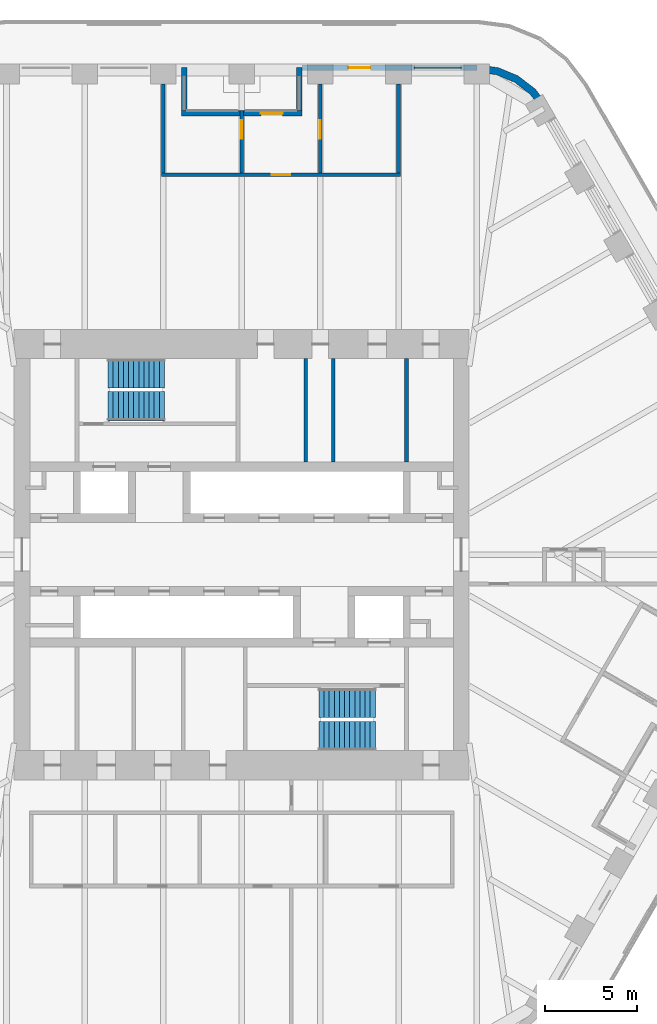
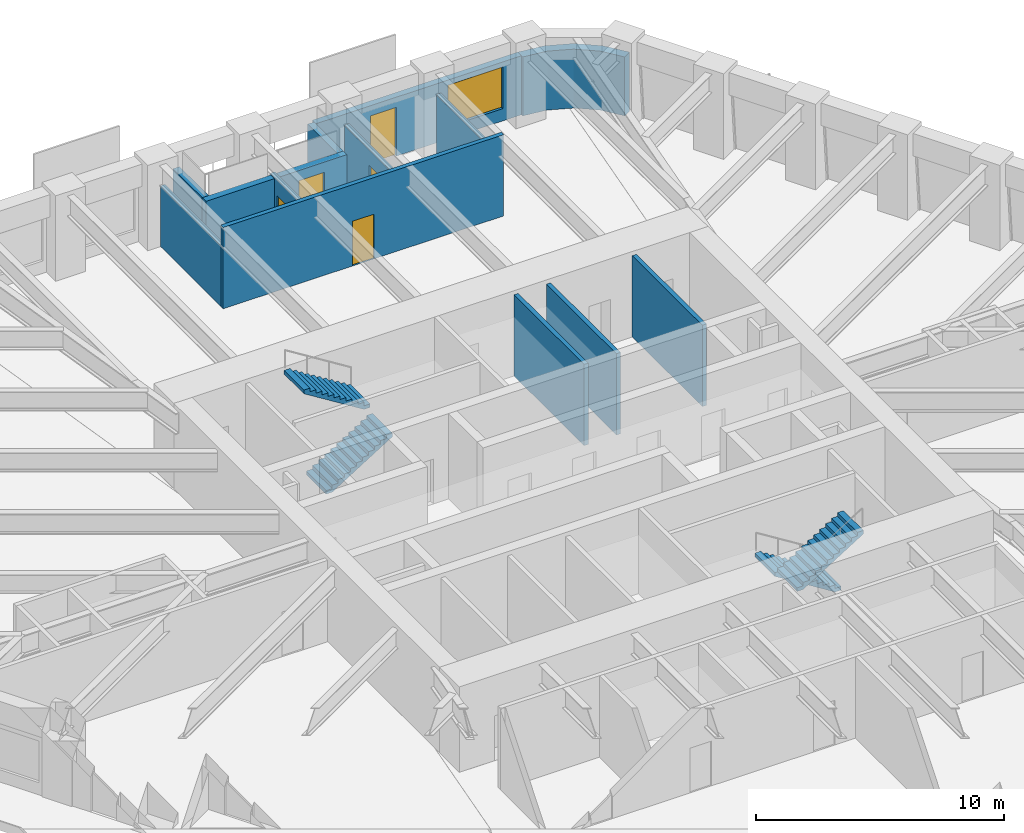
# One storey, part 16 of 19: 13 walls, 5 doors, 4 stair flights, 1 window, 6 openings, 2 elements without a shape of their own.
"""IFC4 building model written with IfcOpenShell, lengths in metres."""

from ifc_helpers import new_model, si_unit, direction, frame, frame_2d, origin, place, context, subcontext, project, spatial, polyline, rectangle, outline, extrude, material, layer, layer_set, type_object, element, fill, aggregate, save


model = new_model("IFC4")

# Units and contexts
model_context = context("Model", 3, precision=1e-05, world=origin(), true_north=direction((0.0, 1.0)))
body_context = subcontext(model_context, "Body", "Model", "MODEL_VIEW")
ifc_project = project(units=[si_unit("LENGTHUNIT", "METRE"), si_unit("AREAUNIT", "SQUARE_METRE"), si_unit("VOLUMEUNIT", "CUBIC_METRE"), si_unit("PLANEANGLEUNIT", "RADIAN"), si_unit("MASSUNIT", "GRAM", prefix="KILO")], contexts=[model_context])

# Site, building, storey
site_placement = place(None, origin())
site = spatial("IfcSite", under=ifc_project, at=site_placement, CompositionType="ELEMENT")
building_placement = place(site_placement, origin())
building = spatial("IfcBuilding", under=site, at=building_placement, Name="Tarfa Lantern Tower", CompositionType="ELEMENT")
storey_placement = place(building_placement, frame((0.0, 0.0, 328.300048828125)))
storey = spatial("IfcBuildingStorey", under=building, at=storey_placement, Name="L74", CompositionType="ELEMENT", Elevation=328.300048828125)

# Wall, openings, door, window
ifc_material_1 = material(Name="Limestone cladding on blockwork", Category="masonry")
ifc_layer_1 = layer(ifc_material_1, 0.300048828125)
ifc_layer_set_1 = layer_set([ifc_layer_1], Name="EW1 STONE-CLAD WALL 300")
wall_type_1 = type_object("IfcWallType", Name="EW1 STONE-CLAD WALL 300", PredefinedType="SOLIDWALL", material=ifc_layer_set_1)
wall_1_placement = place(storey_placement, frame((12.845947265625, 26.60009765625, 0.0), z_axis=(0.0, 0.0, 1.0), x_axis=(-1.0, 0.0, 0.0)))
wall_1 = element("IfcWall", 1, at=wall_1_placement, inside=storey, type_object=wall_type_1, Name="Stone wall N", PredefinedType="SOLIDWALL", context=body_context, shape_type="SweptSolid", body=[
    extrude(rectangle(XDim=9.56396484375, YDim=0.300048828125, at=frame_2d((4.781982421875, 0.0))), origin(), (0.0, 0.0, 1.0), 2.89990234375),
])
opening_1_placement = place(wall_1_placement, frame((0.865966796875, 0.0, 0.60009765625)))
opening_1 = element("IfcOpeningElement", 2, at=opening_1_placement, cuts=wall_1, Name="Opening W17", PredefinedType="OPENING", context=body_context, shape_type="SweptSolid", body=[
    extrude(rectangle(XDim=2.550048828125, YDim=2.050048828125, at=frame_2d((1.27490234375, 1.02490234375))), frame((0.0, 0.159912109375, 0.0), z_axis=(0.0, -1.0, 0.0), x_axis=(1.0, 0.0, 0.0)), (0.0, 0.0, 1.0), 0.320068359375),
])
opening_2_placement = place(wall_1_placement, frame((5.822998046875, 0.0, 0.0)))
opening_2 = element("IfcOpeningElement", 3, at=opening_2_placement, cuts=wall_1, Name="Opening D37", PredefinedType="OPENING", context=body_context, shape_type="SweptSolid", body=[
    extrude(rectangle(XDim=1.199951171875, YDim=2.39990234375, at=frame_2d((0.60009765625, 1.199951171875))), frame((0.0, 0.159912109375, 0.0), z_axis=(0.0, -1.0, 0.0), x_axis=(1.0, 0.0, 0.0)), (0.0, 0.0, 1.0), 0.320068359375),
])
ifc_material_2 = material(Name="Aluminium framed glazed door", Category="aluminium")
door_type_1 = type_object("IfcDoorType", Name="BE3 BALCONY DOOR 1200x2400", OperationType="SINGLE_SWING_RIGHT", PredefinedType="DOOR", material=ifc_material_2)
door_1_placement = place(opening_2_placement, origin())
door_1 = element("IfcDoor", 4, at=door_1_placement, inside=storey, type_object=door_type_1, Name="Balcony door N", OperationType="SINGLE_SWING_LEFT", OverallHeight=2.39990234375, OverallWidth=1.199951171875, PredefinedType="DOOR", context=body_context, shape_type="SweptSolid", body=[
    extrude(rectangle(XDim=1.199951171875, YDim=2.39990234375, at=frame_2d((0.60009765625, 1.199951171875))), frame((0.0, 0.02490234375, 0.0), z_axis=(0.0, -1.0, 0.0), x_axis=(1.0, 0.0, 0.0)), (0.0, 0.0, 1.0), 0.050048828125),
])
fill(opening_2, door_1)
ifc_material_3 = material(Name="Aluminium frame, double glazed", Category="aluminium")
window_type = type_object("IfcWindowType", Name="W17 FULL-HEIGHT GLAZING 2550x2050", PartitioningType="SINGLE_PANEL", PredefinedType="WINDOW", material=ifc_material_3)
window_placement = place(opening_1_placement, origin())
window = element("IfcWindow", 5, at=window_placement, inside=storey, type_object=window_type, Name="Window N 1", OverallHeight=2.050048828125, OverallWidth=2.550048828125, PartitioningType="SINGLE_PANEL", PredefinedType="WINDOW", context=body_context, shape_type="SweptSolid", body=[
    extrude(rectangle(XDim=2.550048828125, YDim=2.050048828125, at=frame_2d((1.27490234375, 1.02490234375))), frame((0.0, 0.030029296875, 0.0), z_axis=(0.0, -1.0, 0.0), x_axis=(1.0, 0.0, 0.0)), (0.0, 0.0, 1.0), 0.06005859375),
])
fill(opening_1, window)

# Walls
for number, where, z_axis, x_axis, name in (
    (6, (3.132080078125, 26.60009765625, 0.0), (0.0, 0.0, 1.0), (0.0, -1.0, 0.0), "Terrace return N 1"),
    (7, (-3.132080078125, 26.60009765625, 0.0), (0.0, 0.0, 1.0), (0.0, -1.0, 0.0), "Terrace return N 2"),
):
    element("IfcWall", number, at=place(storey_placement, frame(where, z_axis=z_axis, x_axis=x_axis)), inside=storey, type_object=wall_type_1, Name=name, PredefinedType="SOLIDWALL", context=body_context, shape_type="SweptSolid", body=[
        extrude(rectangle(XDim=2.35009765625, YDim=0.300048828125, at=frame_2d((1.175048828125, 0.0))), origin(), (0.0, 0.0, 1.0), 2.89990234375),
    ])

# Wall, opening, door
wall_2_placement = place(storey_placement, frame((3.281982421875, 24.10009765625, 0.0), z_axis=(0.0, 0.0, 1.0), x_axis=(-1.0, 0.0, 0.0)))
wall_2 = element("IfcWall", 8, at=wall_2_placement, inside=storey, type_object=wall_type_1, Name="Stone wall NS", PredefinedType="SOLIDWALL", context=body_context, shape_type="SweptSolid", body=[
    extrude(rectangle(XDim=6.56396484375, YDim=0.300048828125, at=frame_2d((3.281982421875, 0.0))), origin(), (0.0, 0.0, 1.0), 2.89990234375),
])
opening_3_placement = place(wall_2_placement, frame((1.041015625, 0.0, 0.0)))
opening_3 = element("IfcOpeningElement", 9, at=opening_3_placement, cuts=wall_2, Name="Opening D38", PredefinedType="OPENING", context=body_context, shape_type="SweptSolid", body=[
    extrude(rectangle(XDim=1.199951171875, YDim=2.39990234375, at=frame_2d((0.60009765625, 1.199951171875))), frame((0.0, 0.159912109375, 0.0), z_axis=(0.0, -1.0, 0.0), x_axis=(1.0, 0.0, 0.0)), (0.0, 0.0, 1.0), 0.320068359375),
])
door_2_placement = place(opening_3_placement, origin())
door_2 = element("IfcDoor", 10, at=door_2_placement, inside=storey, type_object=door_type_1, Name="Balcony door NS", OperationType="SINGLE_SWING_LEFT", OverallHeight=2.39990234375, OverallWidth=1.199951171875, PredefinedType="DOOR", context=body_context, shape_type="SweptSolid", body=[
    extrude(rectangle(XDim=1.199951171875, YDim=2.39990234375, at=frame_2d((0.60009765625, 1.199951171875))), frame((0.0, 0.02490234375, 0.0), z_axis=(0.0, -1.0, 0.0), x_axis=(1.0, 0.0, 0.0)), (0.0, 0.0, 1.0), 0.050048828125),
])
fill(opening_3, door_2)

# Walls
ifc_layer_2 = layer(ifc_material_1, 0.39990234375)
ifc_layer_set_2 = layer_set([ifc_layer_2], Name="EW2 CURVED STONE CORNER 400")
wall_type_2 = type_object("IfcWallType", Name="EW2 CURVED STONE CORNER 400", PredefinedType="SOLIDWALL", material=ifc_layer_set_2)
wall_3_placement = place(storey_placement, origin())
element("IfcWall", 11, at=wall_3_placement, inside=storey, type_object=wall_type_2, Name="Stone corner NE-N", PredefinedType="SOLIDWALL", context=body_context, shape_type="SweptSolid", body=[
    extrude(outline(polyline([(16.7431640625, 24.5), (16.028076171875, 25.431884765625), (15.095947265625, 26.147216796875), (14.0107421875, 26.5966796875), (12.845947265625, 26.75), (12.845947265625, 26.35009765625), (13.9072265625, 26.210205078125), (14.89599609375, 25.80078125), (15.7451171875, 25.149169921875), (16.396728515625, 24.300048828125), (16.7431640625, 24.5)])), origin(), (0.0, 0.0, 1.0), 2.89990234375),
])
ifc_material_4 = material(Name="Concrete blockwork", Category="masonry")
ifc_layer_3 = layer(ifc_material_4, 0.199951171875)
ifc_layer_set_3 = layer_set([ifc_layer_3], Name="IW1 BLOCKWORK PARTITION 200 EI 120")
wall_type_3 = type_object("IfcWallType", Name="IW1 BLOCKWORK PARTITION 200 EI 120", PredefinedType="PARTITIONING", material=ifc_layer_set_3)
for number, where, z_axis, x_axis, name in (
    (12, (9.0, 5.050048828125, 0.0), (0.0, 0.0, 1.0), (0.0, 1.0, 0.0), "Core partition"),
    (13, (3.5, 5.050048828125, 0.0), (0.0, 0.0, 1.0), (0.0, 1.0, 0.0), "Core partition"),
    (14, (5.0, 5.050048828125, 0.0), (0.0, 0.0, 1.0), (0.0, 1.0, 0.0), "Core partition"),
):
    element("IfcWall", number, at=place(storey_placement, frame(where, z_axis=z_axis, x_axis=x_axis)), inside=storey, type_object=wall_type_3, Name=name, PredefinedType="PARTITIONING", context=body_context, shape_type="SweptSolid", body=[
        extrude(rectangle(XDim=5.64990234375, YDim=0.199951171875, at=frame_2d((2.824951171875, 0.0))), origin(), (0.0, 0.0, 1.0), 4.0),
    ])

# Wall, opening, door
ifc_material_5 = material(Name="Gypsum board on steel studs", Category="steel")
ifc_layer_4 = layer(ifc_material_5, 0.2099609375)
ifc_layer_set_4 = layer_set([ifc_layer_4], Name="IW2 ACOUSTIC PARTITION 200")
wall_type_4 = type_object("IfcWallType", Name="IW2 ACOUSTIC PARTITION 200", PredefinedType="PARTITIONING", material=ifc_layer_set_4)
wall_4_placement = place(storey_placement, frame((8.6640625, 20.75, 0.0), z_axis=(0.0, 0.0, 1.0), x_axis=(-1.0, 0.0, 0.0)))
wall_4 = element("IfcWall", 15, at=wall_4_placement, inside=storey, type_object=wall_type_4, Name="Partition", PredefinedType="PARTITIONING", context=body_context, shape_type="SweptSolid", body=[
    extrude(rectangle(XDim=13.046142578125, YDim=0.199951171875, at=frame_2d((6.52294921875, 0.0))), origin(), (0.0, 0.0, 1.0), 4.0),
])
opening_4_placement = place(wall_4_placement, frame((6.02294921875, 0.0, 0.0)))
opening_4 = element("IfcOpeningElement", 16, at=opening_4_placement, cuts=wall_4, Name="Opening D22", PredefinedType="OPENING", context=body_context, shape_type="SweptSolid", body=[
    extrude(rectangle(XDim=1.0, YDim=2.199951171875, at=frame_2d((0.5, 1.10009765625))), frame((0.0, 0.10986328125, 0.0), z_axis=(0.0, -1.0, 0.0), x_axis=(1.0, 0.0, 0.0)), (0.0, 0.0, 1.0), 0.219970703125),
])
ifc_material_6 = material(Name="Timber door", Category="wood")
door_type_2 = type_object("IfcDoorType", Name="DR1 ROOM DOOR 1000x2200", OperationType="SINGLE_SWING_LEFT", PredefinedType="DOOR", material=ifc_material_6)
door_3_placement = place(opening_4_placement, frame((1.0, 0.0, 0.0), z_axis=(0.0, 0.0, 1.0), x_axis=(-1.0, 0.0, 0.0)))
door_3 = element("IfcDoor", 17, at=door_3_placement, inside=storey, type_object=door_type_2, Name="PA area door", OperationType="SINGLE_SWING_RIGHT", OverallHeight=2.199951171875, OverallWidth=1.0, PredefinedType="DOOR", context=body_context, shape_type="SweptSolid", body=[
    extrude(rectangle(XDim=1.0, YDim=2.199951171875, at=frame_2d((0.5, 1.10009765625))), frame((0.0, 0.02490234375, 0.0), z_axis=(0.0, -1.0, 0.0), x_axis=(1.0, 0.0, 0.0)), (0.0, 0.0, 1.0), 0.050048828125),
])
fill(opening_4, door_3)

# Wall
wall_5_placement = place(storey_placement, frame((8.56396484375, 20.85009765625, 0.0), z_axis=(0.0, 0.0, 1.0), x_axis=(0.0, 1.0, 0.0)))
element("IfcWall", 18, at=wall_5_placement, inside=storey, type_object=wall_type_4, Name="Partition", PredefinedType="PARTITIONING", context=body_context, shape_type="SweptSolid", body=[
    extrude(rectangle(XDim=4.849853515625, YDim=0.199951171875, at=frame_2d((2.4248046875, 0.0))), origin(), (0.0, 0.0, 1.0), 2.991943359375),
])

# Wall, opening, door
wall_6_placement = place(storey_placement, frame((4.281982421875, 20.85009765625, 0.0), z_axis=(0.0, 0.0, 1.0), x_axis=(0.0, 1.0, 0.0)))
wall_6 = element("IfcWall", 19, at=wall_6_placement, inside=storey, type_object=wall_type_4, Name="Partition", PredefinedType="PARTITIONING", context=body_context, shape_type="SweptSolid", body=[
    extrude(rectangle(XDim=4.849853515625, YDim=0.199951171875, at=frame_2d((2.4248046875, 0.0))), origin(), (0.0, 0.0, 1.0), 2.991943359375),
])
opening_5_placement = place(wall_6_placement, frame((1.875, 0.0, 0.0)))
opening_5 = element("IfcOpeningElement", 20, at=opening_5_placement, cuts=wall_6, Name="Opening D21", PredefinedType="OPENING", context=body_context, shape_type="SweptSolid", body=[
    extrude(rectangle(XDim=1.0, YDim=2.199951171875, at=frame_2d((0.5, 1.10009765625))), frame((0.0, 0.10986328125, 0.0), z_axis=(0.0, -1.0, 0.0), x_axis=(1.0, 0.0, 0.0)), (0.0, 0.0, 1.0), 0.219970703125),
])
door_4_placement = place(opening_5_placement, origin())
door_4 = element("IfcDoor", 21, at=door_4_placement, inside=storey, type_object=door_type_2, Name="Executive office door", OperationType="SINGLE_SWING_RIGHT", OverallHeight=2.199951171875, OverallWidth=1.0, PredefinedType="DOOR", context=body_context, shape_type="SweptSolid", body=[
    extrude(rectangle(XDim=1.0, YDim=2.199951171875, at=frame_2d((0.5, 1.10009765625))), frame((0.0, 0.02490234375, 0.0), z_axis=(0.0, -1.0, 0.0), x_axis=(1.0, 0.0, 0.0)), (0.0, 0.0, 1.0), 0.050048828125),
])
fill(opening_5, door_4)

wall_7_placement = place(storey_placement, frame((0.0, 20.85009765625, 0.0), z_axis=(0.0, 0.0, 1.0), x_axis=(0.0, 1.0, 0.0)))
wall_7 = element("IfcWall", 22, at=wall_7_placement, inside=storey, type_object=wall_type_4, Name="Partition", PredefinedType="PARTITIONING", context=body_context, shape_type="SweptSolid", body=[
    extrude(rectangle(XDim=3.40087890625, YDim=0.199951171875, at=frame_2d((1.700439453125, 0.0))), origin(), (0.0, 0.0, 1.0), 2.991943359375),
])
opening_6_placement = place(wall_7_placement, frame((1.875, 0.0, 0.0)))
opening_6 = element("IfcOpeningElement", 23, at=opening_6_placement, cuts=wall_7, Name="Opening D23", PredefinedType="OPENING", context=body_context, shape_type="SweptSolid", body=[
    extrude(rectangle(XDim=1.0, YDim=2.199951171875, at=frame_2d((0.5, 1.10009765625))), frame((0.0, 0.10986328125, 0.0), z_axis=(0.0, -1.0, 0.0), x_axis=(1.0, 0.0, 0.0)), (0.0, 0.0, 1.0), 0.219970703125),
])
door_5_placement = place(opening_6_placement, origin())
door_5 = element("IfcDoor", 24, at=door_5_placement, inside=storey, type_object=door_type_2, Name="File room door", OperationType="SINGLE_SWING_LEFT", OverallHeight=2.199951171875, OverallWidth=1.0, PredefinedType="DOOR", context=body_context, shape_type="SweptSolid", body=[
    extrude(rectangle(XDim=1.0, YDim=2.199951171875, at=frame_2d((0.5, 1.10009765625))), frame((0.0, 0.02490234375, 0.0), z_axis=(0.0, -1.0, 0.0), x_axis=(1.0, 0.0, 0.0)), (0.0, 0.0, 1.0), 0.050048828125),
])
fill(opening_6, door_5)

# Wall
wall_8_placement = place(storey_placement, frame((-4.281982421875, 20.85009765625, 0.0), z_axis=(0.0, 0.0, 1.0), x_axis=(0.0, 1.0, 0.0)))
element("IfcWall", 25, at=wall_8_placement, inside=storey, type_object=wall_type_4, Name="Partition", PredefinedType="PARTITIONING", context=body_context, shape_type="SweptSolid", body=[
    extrude(rectangle(XDim=4.849853515625, YDim=0.199951171875, at=frame_2d((2.4248046875, 0.0))), origin(), (0.0, 0.0, 1.0), 2.991943359375),
])

# Stair, stair flights
ifc_material_7 = material(Name="Concrete C40/50", Category="concrete")
stair_type = type_object("IfcStairType", Name="ST-T10 HALF-TURN STAIR 4200 RISE", PredefinedType="HALF_TURN_STAIR", material=ifc_material_7)
stair_1_placement = place(storey_placement, origin())
stair_1 = element("IfcStair", 26, at=stair_1_placement, inside=storey, type_object=stair_type, Name="Stair ST1", PredefinedType="HALF_TURN_STAIR")
stair_flight_type = type_object("IfcStairFlightType", Name="SF1 STAIR FLIGHT", PredefinedType="STRAIGHT", material=ifc_material_7)
stair_flight_1_placement = place(storey_placement, frame((-7.300048828125, 8.10009765625, 0.0), z_axis=(0.0, 0.0, 1.0), x_axis=(1.0, 0.0, 0.0)))
stair_flight_1 = element("IfcStairFlight", 27, at=stair_flight_1_placement, type_object=stair_flight_type, Name="ST1 flight 1", NumberOfRisers=12, NumberOfTreads=11, PredefinedType="STRAIGHT", RiserHeight=0.175, TreadLength=0.28, context=body_context, shape_type="SweptSolid", body=[
    extrude(outline(polyline([(0.0, 0.0), (0.0, 0.175048828125), (0.280029296875, 0.175048828125), (0.280029296875, 0.35009765625), (0.56005859375, 0.35009765625), (0.56005859375, 0.52490234375), (0.840087890625, 0.52490234375), (0.840087890625, 0.699951171875), (1.1201171875, 0.699951171875), (1.1201171875, 0.875), (1.39990234375, 0.875), (1.39990234375, 1.050048828125), (1.679931640625, 1.050048828125), (1.679931640625, 1.22509765625), (1.9599609375, 1.22509765625), (1.9599609375, 1.39990234375), (2.239990234375, 1.39990234375), (2.239990234375, 1.574951171875), (2.52001953125, 1.574951171875), (2.52001953125, 1.75), (2.800048828125, 1.75), (2.800048828125, 1.925048828125), (3.080078125, 1.925048828125), (3.080078125, 2.10009765625), (3.080078125, 1.748291015625), (0.28271484375, 0.0), (0.0, 0.0)])), frame((0.0, 0.800048828125, 0.0), z_axis=(0.0, -1.0, 0.0), x_axis=(1.0, 0.0, 0.0)), (0.0, 0.0, 1.0), 1.60009765625),
])
stair_flight_2_placement = place(storey_placement, frame((-4.219970703125, 9.89990234375, 2.099853515625), z_axis=(0.0, 0.0, 1.0), x_axis=(-1.0, 0.0, 0.0)))
stair_flight_2 = element("IfcStairFlight", 28, at=stair_flight_2_placement, type_object=stair_flight_type, Name="ST1 flight 2", NumberOfRisers=12, NumberOfTreads=11, PredefinedType="STRAIGHT", RiserHeight=0.175, TreadLength=0.28, context=body_context, shape_type="SweptSolid", body=[
    extrude(outline(polyline([(0.0, 0.0), (0.0, 0.175048828125), (0.280029296875, 0.175048828125), (0.280029296875, 0.35009765625), (0.56005859375, 0.35009765625), (0.56005859375, 0.52490234375), (0.840087890625, 0.52490234375), (0.840087890625, 0.699951171875), (1.1201171875, 0.699951171875), (1.1201171875, 0.875), (1.39990234375, 0.875), (1.39990234375, 1.050048828125), (1.679931640625, 1.050048828125), (1.679931640625, 1.22509765625), (1.9599609375, 1.22509765625), (1.9599609375, 1.39990234375), (2.239990234375, 1.39990234375), (2.239990234375, 1.574951171875), (2.52001953125, 1.574951171875), (2.52001953125, 1.75), (2.800048828125, 1.75), (2.800048828125, 1.925048828125), (3.080078125, 1.925048828125), (3.080078125, 2.10009765625), (3.080078125, 1.748291015625), (0.28271484375, 0.0), (0.0, 0.0)])), frame((0.0, 0.800048828125, 0.0), z_axis=(0.0, -1.0, 0.0), x_axis=(1.0, 0.0, 0.0)), (0.0, 0.0, 1.0), 1.60009765625),
])
aggregate(stair_1, [stair_flight_1, stair_flight_2])

stair_2_placement = place(storey_placement, origin())
stair_2 = element("IfcStair", 29, at=stair_2_placement, inside=storey, type_object=stair_type, Name="Stair ST2", PredefinedType="HALF_TURN_STAIR")
stair_flight_3_placement = place(storey_placement, frame((7.300048828125, -8.10009765625, 0.0), z_axis=(0.0, 0.0, 1.0), x_axis=(-1.0, 0.0, 0.0)))
stair_flight_3 = element("IfcStairFlight", 30, at=stair_flight_3_placement, type_object=stair_flight_type, Name="ST2 flight 1", NumberOfRisers=12, NumberOfTreads=11, PredefinedType="STRAIGHT", RiserHeight=0.175, TreadLength=0.28, context=body_context, shape_type="SweptSolid", body=[
    extrude(outline(polyline([(0.0, 0.0), (0.0, 0.175048828125), (0.280029296875, 0.175048828125), (0.280029296875, 0.35009765625), (0.56005859375, 0.35009765625), (0.56005859375, 0.52490234375), (0.840087890625, 0.52490234375), (0.840087890625, 0.699951171875), (1.1201171875, 0.699951171875), (1.1201171875, 0.875), (1.39990234375, 0.875), (1.39990234375, 1.050048828125), (1.679931640625, 1.050048828125), (1.679931640625, 1.22509765625), (1.9599609375, 1.22509765625), (1.9599609375, 1.39990234375), (2.239990234375, 1.39990234375), (2.239990234375, 1.574951171875), (2.52001953125, 1.574951171875), (2.52001953125, 1.75), (2.800048828125, 1.75), (2.800048828125, 1.925048828125), (3.080078125, 1.925048828125), (3.080078125, 2.10009765625), (3.080078125, 1.748291015625), (0.28271484375, 0.0), (0.0, 0.0)])), frame((0.0, 0.800048828125, 0.0), z_axis=(0.0, -1.0, 0.0), x_axis=(1.0, 0.0, 0.0)), (0.0, 0.0, 1.0), 1.60009765625),
])
stair_flight_4_placement = place(storey_placement, frame((4.219970703125, -9.89990234375, 2.099853515625), z_axis=(0.0, 0.0, 1.0), x_axis=(1.0, 0.0, 0.0)))
stair_flight_4 = element("IfcStairFlight", 31, at=stair_flight_4_placement, type_object=stair_flight_type, Name="ST2 flight 2", NumberOfRisers=12, NumberOfTreads=11, PredefinedType="STRAIGHT", RiserHeight=0.175, TreadLength=0.28, context=body_context, shape_type="SweptSolid", body=[
    extrude(outline(polyline([(0.0, 0.0), (0.0, 0.175048828125), (0.280029296875, 0.175048828125), (0.280029296875, 0.35009765625), (0.56005859375, 0.35009765625), (0.56005859375, 0.52490234375), (0.840087890625, 0.52490234375), (0.840087890625, 0.699951171875), (1.1201171875, 0.699951171875), (1.1201171875, 0.875), (1.39990234375, 0.875), (1.39990234375, 1.050048828125), (1.679931640625, 1.050048828125), (1.679931640625, 1.22509765625), (1.9599609375, 1.22509765625), (1.9599609375, 1.39990234375), (2.239990234375, 1.39990234375), (2.239990234375, 1.574951171875), (2.52001953125, 1.574951171875), (2.52001953125, 1.75), (2.800048828125, 1.75), (2.800048828125, 1.925048828125), (3.080078125, 1.925048828125), (3.080078125, 2.10009765625), (3.080078125, 1.748291015625), (0.28271484375, 0.0), (0.0, 0.0)])), frame((0.0, 0.800048828125, 0.0), z_axis=(0.0, -1.0, 0.0), x_axis=(1.0, 0.0, 0.0)), (0.0, 0.0, 1.0), 1.60009765625),
])
aggregate(stair_2, [stair_flight_3, stair_flight_4])

save(model, "model.ifc")
